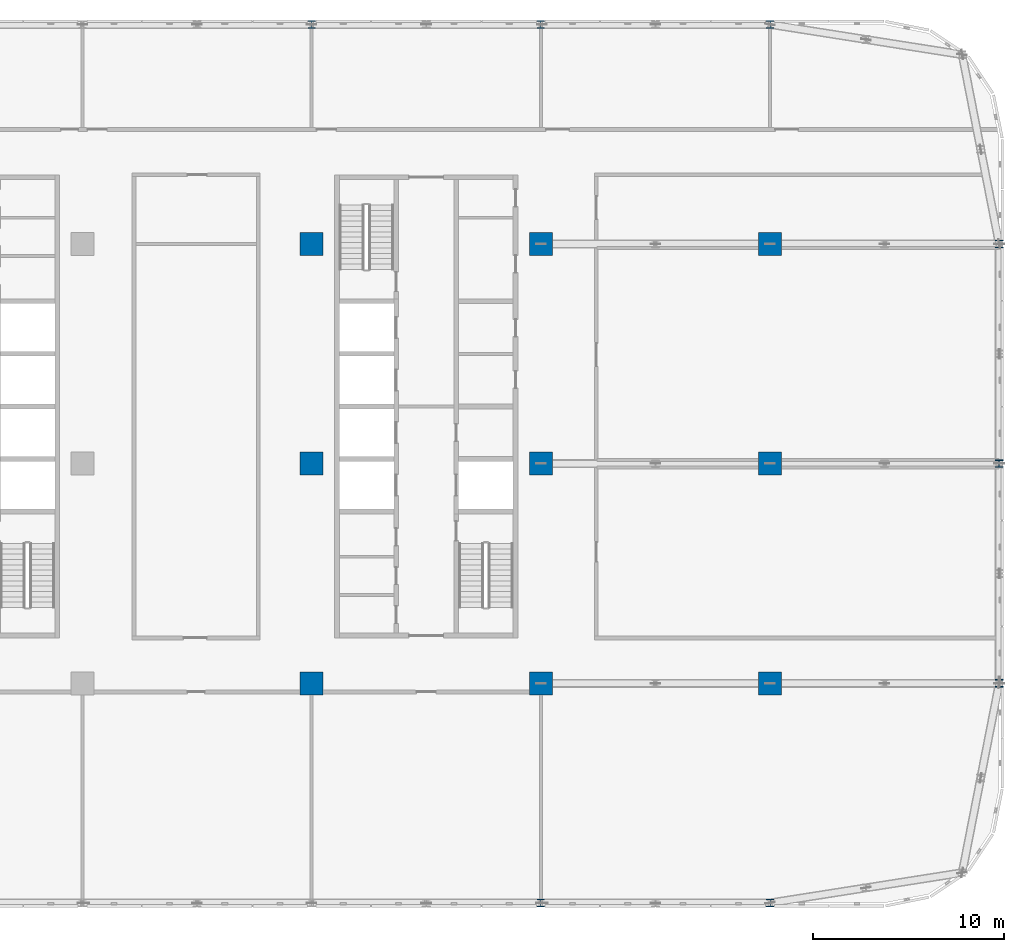
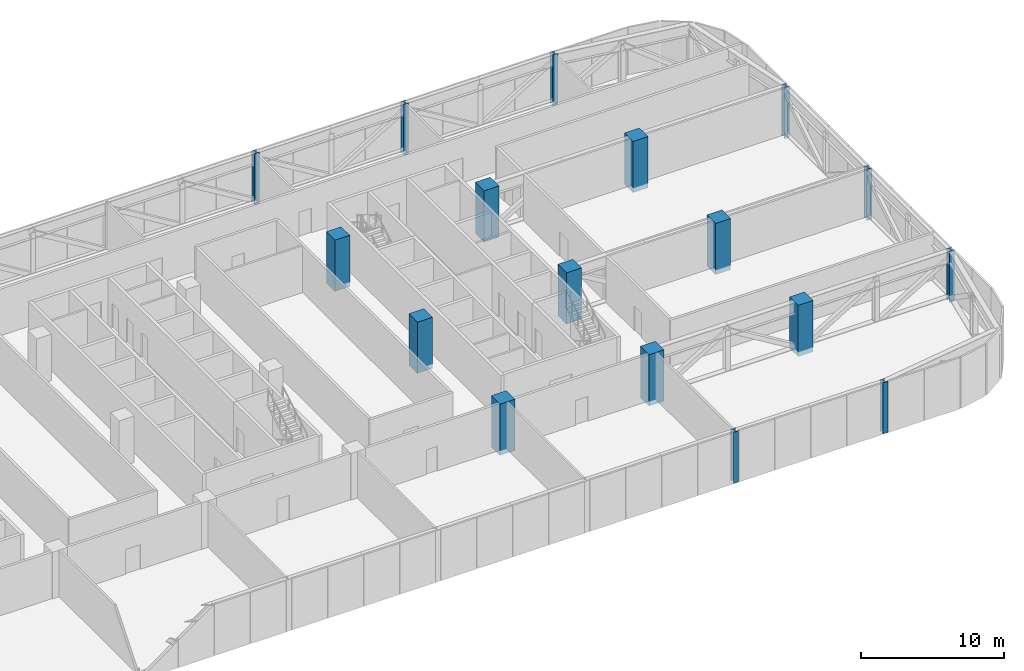
# One storey, part 2 of 26: 17 columns.
"""IFC4 building model written with IfcOpenShell, lengths in metres."""

from ifc_helpers import new_model, si_unit, direction, frame, origin, origin_2d, place, context, subcontext, project, spatial, rectangle, i_section, extrude, material, material_profile, profile_set, type_object, element, save


model = new_model("IFC4")

# Units and contexts
model_context = context("Model", 3, precision=1e-05, world=origin(), true_north=direction((0.0, 1.0)))
body_context = subcontext(model_context, "Body", "Model", "MODEL_VIEW")
ifc_project = project(units=[si_unit("LENGTHUNIT", "METRE"), si_unit("AREAUNIT", "SQUARE_METRE"), si_unit("VOLUMEUNIT", "CUBIC_METRE"), si_unit("PLANEANGLEUNIT", "RADIAN"), si_unit("MASSUNIT", "GRAM", prefix="KILO")], contexts=[model_context])

# Site, building, storey
site_placement = place(None, origin())
site = spatial("IfcSite", under=ifc_project, at=site_placement, CompositionType="ELEMENT")
building_placement = place(site_placement, origin())
building = spatial("IfcBuilding", under=site, at=building_placement, Name="Mahtab Terrace Research Tower", CompositionType="ELEMENT")
storey_placement = place(building_placement, frame((0.0, 0.0, 189.60009765625)))
storey = spatial("IfcBuildingStorey", under=building, at=storey_placement, Name="L45", CompositionType="ELEMENT", Elevation=189.60009765625)

# Columns
ifc_material_1 = material(Name="Concrete C70/85", Category="concrete")
ifc_material_profile_1 = material_profile(ifc_material_1, rectangle(XDim=1.199951171875, YDim=1.199951171875, at=origin_2d()), Name="RC column 1200x1200")
ifc_profile_set_1 = profile_set([ifc_material_profile_1], Name="Concrete C70/85")
column_type_1 = type_object("IfcColumnType", Name="RC column 1200x1200", PredefinedType="COLUMN", material=ifc_profile_set_1)
for number, where, z_axis, x_axis, name in (
    (1, (18.0, -11.5, -0.400146484375), (0.0, 0.0, 1.0), (1.0, 0.0, 0.0), "Column RC-6A L45"),
    (2, (18.0, 0.0, -0.400146484375), (0.0, 0.0, 1.0), (1.0, 0.0, 0.0), "Column RC-6B L45"),
    (3, (18.0, 11.5, -0.400146484375), (0.0, 0.0, 1.0), (1.0, 0.0, 0.0), "Column RC-6C L45"),
    (4, (30.0, -11.5, -0.400146484375), (0.0, 0.0, 1.0), (1.0, 0.0, 0.0), "Column RC-7A L45"),
    (5, (30.0, 0.0, -0.400146484375), (0.0, 0.0, 1.0), (1.0, 0.0, 0.0), "Column RC-7B L45"),
    (6, (30.0, 11.5, -0.400146484375), (0.0, 0.0, 1.0), (1.0, 0.0, 0.0), "Column RC-7C L45"),
    (7, (42.0, -11.5, -0.400146484375), (0.0, 0.0, 1.0), (1.0, 0.0, 0.0), "Column RC-8A L45"),
    (8, (42.0, 0.0, -0.400146484375), (0.0, 0.0, 1.0), (1.0, 0.0, 0.0), "Column RC-8B L45"),
    (9, (42.0, 11.5, -0.400146484375), (0.0, 0.0, 1.0), (1.0, 0.0, 0.0), "Column RC-8C L45"),
):
    element("IfcColumn", number, at=place(storey_placement, frame(where, z_axis=z_axis, x_axis=x_axis)), inside=storey, type_object=column_type_1, Name=name, PredefinedType="COLUMN", context=body_context, shape_type="SweptSolid", body=[
        extrude(rectangle(XDim=1.199951171875, YDim=1.199951171875, at=origin_2d()), origin(), (0.0, 0.0, 1.0), 4.360107421875),
    ])
ifc_material_2 = material(Name="Steel ASTM A992 Gr 50", Category="steel")
ifc_material_profile_2 = material_profile(ifc_material_2, i_section(OverallWidth=0.4013671875, OverallDepth=0.398681640625, WebThickness=0.02490234375, FlangeThickness=0.03955078125, at=origin_2d()), Name="W14X211")
ifc_profile_set_2 = profile_set([ifc_material_profile_2], Name="Steel ASTM A992 Gr 50")
column_type_2 = type_object("IfcColumnType", Name="W14x211 column CS14211", PredefinedType="COLUMN", material=ifc_profile_set_2)
for number, where, z_axis, x_axis, name in (
    (10, (54.0, -11.5, -0.400146484375), (0.0, 0.0, 1.0), (1.0, 0.0, 0.0), "Column SC-027 L45"),
    (11, (54.0, 0.0, -0.400146484375), (0.0, 0.0, 1.0), (1.0, 0.0, 0.0), "Column SC-028 L45"),
    (12, (54.0, 11.5, -0.400146484375), (0.0, 0.0, 1.0), (1.0, 0.0, 0.0), "Column SC-029 L45"),
):
    element("IfcColumn", number, at=place(storey_placement, frame(where, z_axis=z_axis, x_axis=x_axis)), inside=storey, type_object=column_type_2, Name=name, PredefinedType="COLUMN", context=body_context, shape_type="SweptSolid", body=[
        extrude(i_section(OverallWidth=0.4013671875, OverallDepth=0.398681640625, WebThickness=0.02490234375, FlangeThickness=0.03955078125, at=origin_2d()), origin(), (0.0, 0.0, 1.0), 4.360107421875),
    ])
ifc_material_profile_3 = material_profile(ifc_material_2, i_section(OverallWidth=0.406494140625, OverallDepth=0.41650390625, WebThickness=0.030029296875, FlangeThickness=0.048095703125, at=origin_2d()), Name="W14X257")
ifc_profile_set_3 = profile_set([ifc_material_profile_3], Name="Steel ASTM A992 Gr 50")
column_type_3 = type_object("IfcColumnType", Name="W14x257 column CS14257", PredefinedType="COLUMN", material=ifc_profile_set_3)
for number, where, z_axis, x_axis, name in (
    (13, (42.0, 23.0, -0.400146484375), (0.0, 0.0, 1.0), (1.0, 0.0, 0.0), "Column SC-001 L45"),
    (14, (30.0, 23.0, -0.400146484375), (0.0, 0.0, 1.0), (1.0, 0.0, 0.0), "Column SC-002 L45"),
    (15, (18.0, 23.0, -0.400146484375), (0.0, 0.0, 1.0), (1.0, 0.0, 0.0), "Column SC-003 L45"),
    (16, (30.0, -23.0, -0.400146484375), (0.0, 0.0, 1.0), (1.0, 0.0, 0.0), "Column SC-018 L45"),
    (17, (42.0, -23.0, -0.400146484375), (0.0, 0.0, 1.0), (1.0, 0.0, 0.0), "Column SC-019 L45"),
):
    element("IfcColumn", number, at=place(storey_placement, frame(where, z_axis=z_axis, x_axis=x_axis)), inside=storey, type_object=column_type_3, Name=name, PredefinedType="COLUMN", context=body_context, shape_type="SweptSolid", body=[
        extrude(i_section(OverallWidth=0.406494140625, OverallDepth=0.41650390625, WebThickness=0.030029296875, FlangeThickness=0.048095703125, at=origin_2d()), origin(), (0.0, 0.0, 1.0), 4.360107421875),
    ])

save(model, "model.ifc")
